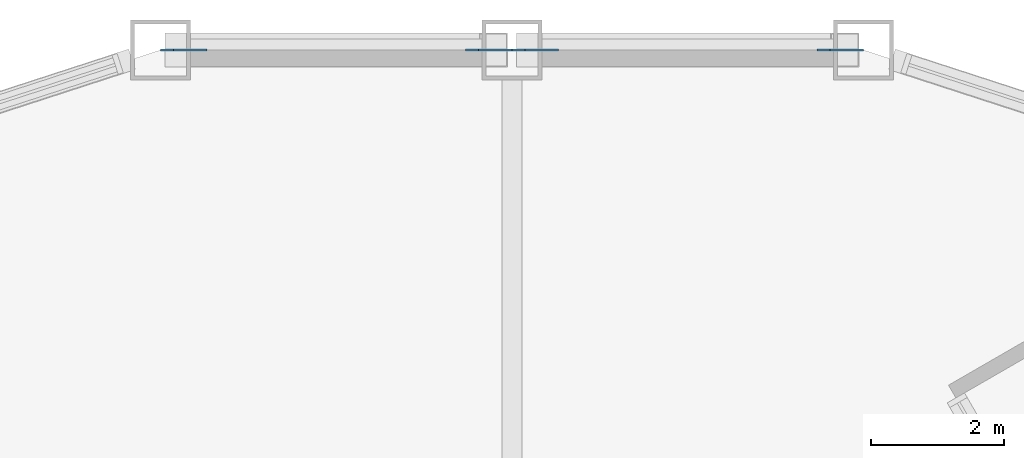
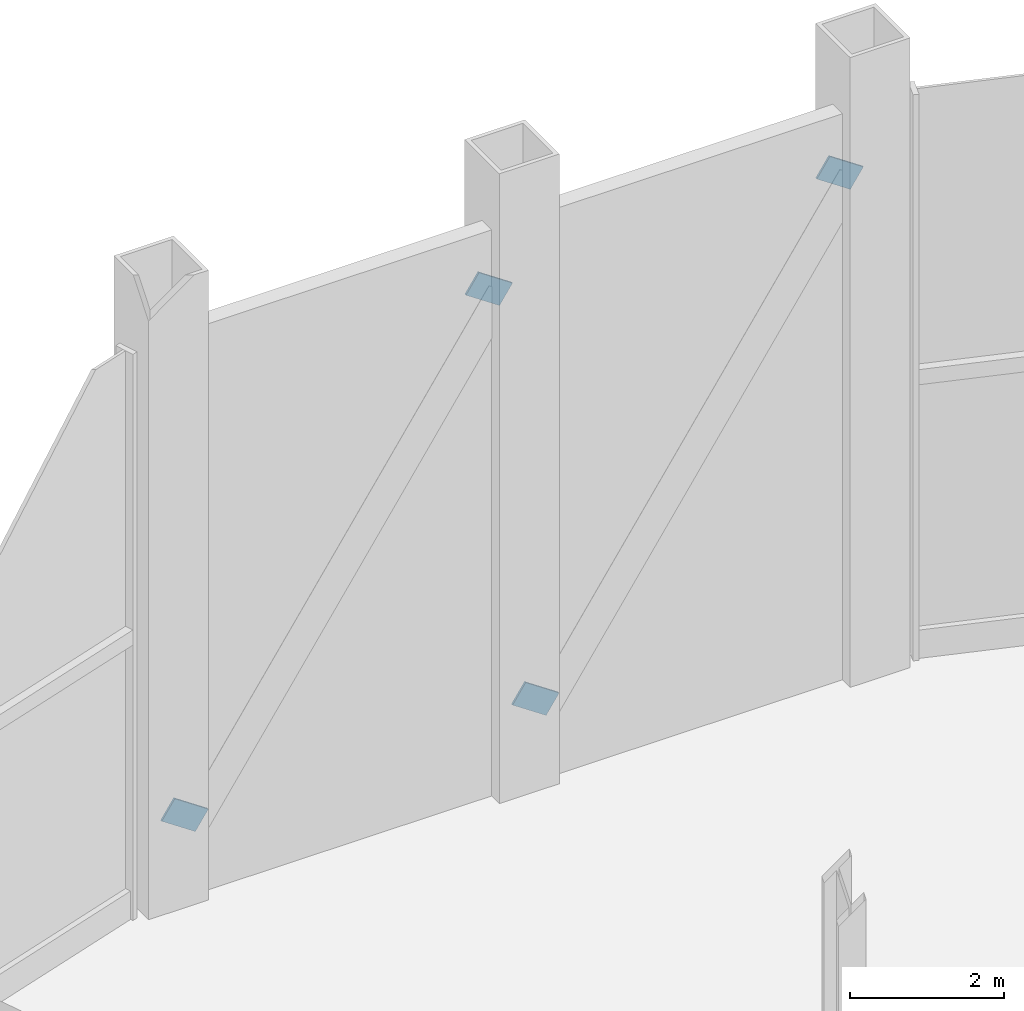
# One storey, part 14 of 18: 4 discrete accessories.
"""IFC4 building model written with IfcOpenShell, lengths in metres."""

from ifc_helpers import new_model, si_unit, direction, frame, origin, origin_2d, place, context, subcontext, project, spatial, rectangle, extrude, material, material_profile, profile_set, type_object, element, save


model = new_model("IFC4")

# Units and contexts
model_context = context("Model", 3, precision=1e-05, world=origin(), true_north=direction((0.0, 1.0)))
body_context = subcontext(model_context, "Body", "Model", "MODEL_VIEW")
ifc_project = project(units=[si_unit("LENGTHUNIT", "METRE"), si_unit("AREAUNIT", "SQUARE_METRE"), si_unit("VOLUMEUNIT", "CUBIC_METRE"), si_unit("PLANEANGLEUNIT", "RADIAN"), si_unit("MASSUNIT", "GRAM", prefix="KILO")], contexts=[model_context])

# Site, building, storey
site_placement = place(None, origin())
site = spatial("IfcSite", under=ifc_project, at=site_placement, CompositionType="ELEMENT")
building_placement = place(site_placement, origin())
building = spatial("IfcBuilding", under=site, at=building_placement, Name="Cormorant Prow Tower", CompositionType="ELEMENT")
storey_placement = place(building_placement, frame((0.0, 0.0, 154.199951171875)))
storey = spatial("IfcBuildingStorey", under=building, at=storey_placement, Name="L33", CompositionType="ELEMENT", Elevation=154.199951171875)

# Discrete accessories
ifc_material = material(Name="Structural steel ASTM A500 Gr C", Category="steel")
ifc_material_profile = material_profile(ifc_material, rectangle(XDim=0.031982421875, YDim=0.60791015625, at=origin_2d()), Name="Gusset plate 32x608")
ifc_profile_set = profile_set([ifc_material_profile], Name="Structural steel ASTM A500 Gr C")
discrete_accessory_type = type_object("IfcDiscreteAccessoryType", Name="Gusset plate 32x608", PredefinedType="BRACKET", material=ifc_profile_set)
for number, where, z_axis, x_axis, name in (
    (1, (0.4482421875, 32.487060546875, 1.2626953125), (-0.559999747795, 0.0, -0.82849277756), (0.0, -1.0, 0.0), "Gusset plate GP1 L33.N00.g0"),
    (2, (4.8212890625, 32.487060546875, 7.726318359375), (0.560478152359, 0.0, 0.828169210203), (0.0, 1.0, 0.0), "Gusset plate GP1 L33.N00.g1"),
    (3, (-4.8212890625, 32.487060546875, 1.2626953125), (-0.560478152359, 0.0, -0.828169210203), (0.0, -1.0, 0.0), "Gusset plate GP1 L33.N01.g0"),
    (4, (-0.4482421875, 32.487060546875, 7.726318359375), (0.559999747795, 0.0, 0.82849277756), (0.0, 1.0, 0.0), "Gusset plate GP1 L33.N01.g1"),
):
    element("IfcDiscreteAccessory", number, at=place(storey_placement, frame(where, z_axis=z_axis, x_axis=x_axis)), inside=storey, type_object=discrete_accessory_type, Name=name, PredefinedType="BRACKET", context=body_context, shape_type="SweptSolid", body=[
        extrude(rectangle(XDim=0.031982421875, YDim=0.60791015625, at=origin_2d()), origin(), (0.0, 0.0, 1.0), 0.35009765625),
    ])

save(model, "model.ifc")
